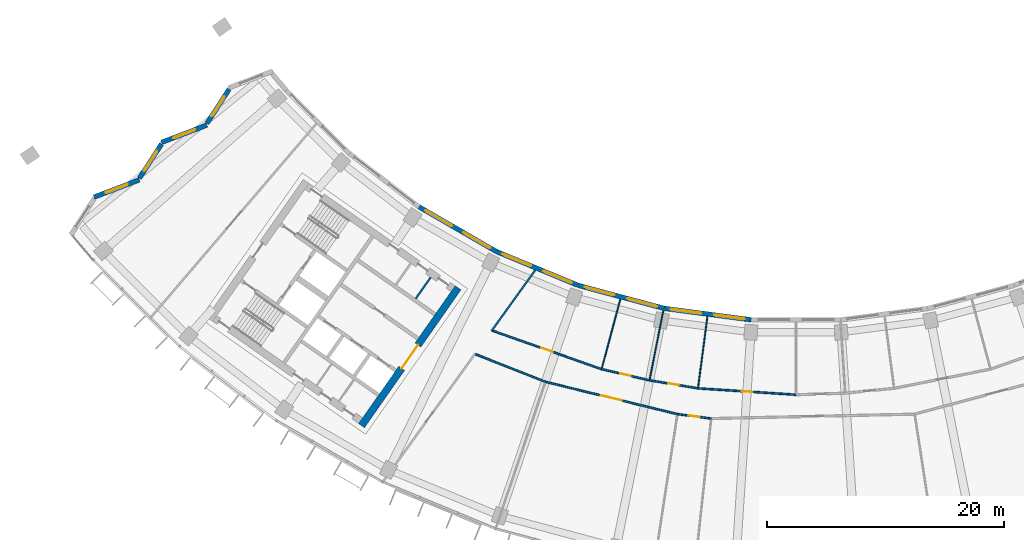
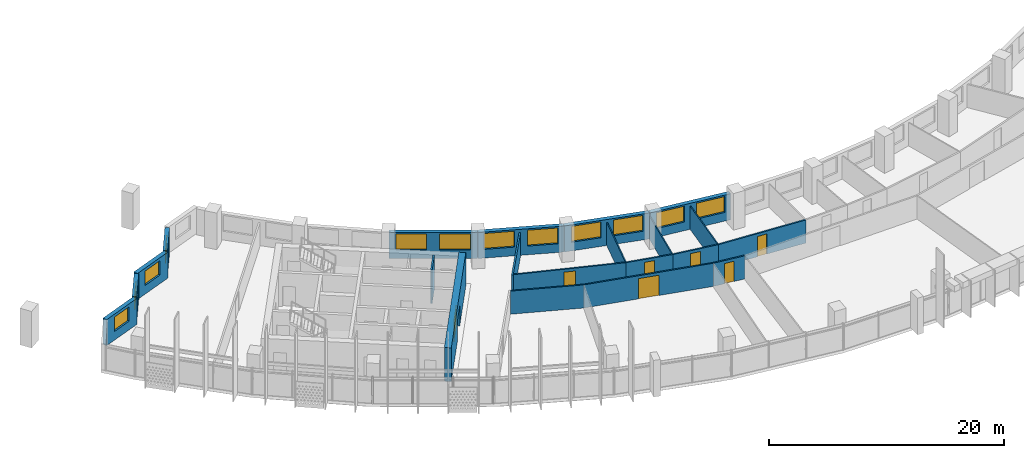
# One storey, part 4 of 27: 21 walls, 12 windows, 7 doors, 19 openings.
"""IFC4 building model written with IfcOpenShell, lengths in metres."""

from ifc_helpers import new_model, si_unit, direction, frame, frame_2d, origin, place, context, subcontext, project, spatial, rectangle, extrude, material, layer, layer_set, type_object, element, fill, save


model = new_model("IFC4")

# Units and contexts
model_context = context("Model", 3, precision=1e-05, world=origin(), true_north=direction((0.0, 1.0)))
body_context = subcontext(model_context, "Body", "Model", "MODEL_VIEW")
ifc_project = project(units=[si_unit("LENGTHUNIT", "METRE"), si_unit("AREAUNIT", "SQUARE_METRE"), si_unit("VOLUMEUNIT", "CUBIC_METRE"), si_unit("PLANEANGLEUNIT", "RADIAN"), si_unit("MASSUNIT", "GRAM", prefix="KILO")], contexts=[model_context])

# Site, building, storey
site_placement = place(None, origin())
site = spatial("IfcSite", under=ifc_project, at=site_placement, CompositionType="ELEMENT")
building_placement = place(site_placement, origin())
building = spatial("IfcBuilding", under=site, at=building_placement, Name="Qamariyya Broadcast Tower", CompositionType="ELEMENT")
storey_placement = place(building_placement, frame((0.0, 0.0, 179.699951171875)))
storey = spatial("IfcBuildingStorey", under=building, at=storey_placement, Name="L42", CompositionType="ELEMENT", Elevation=179.699951171875)

# Wall, opening, door
ifc_material_1 = material(Name="Concrete C60/75", Category="concrete")
ifc_layer_1 = layer(ifc_material_1, 0.60009765625)
ifc_layer_set_1 = layer_set([ifc_layer_1], Name="Core wall 600 mm Concrete C60/75")
wall_type_1 = type_object("IfcWallType", Name="Core wall 600 mm Concrete C60/75", PredefinedType="SHEAR", material=ifc_layer_set_1)
wall_1_placement = place(storey_placement, frame((-36.66748046875, -66.005126953125, 0.0), z_axis=(0.0, 0.0, 1.0), x_axis=(0.573568499524, 0.819157601658, 0.0)))
wall_1 = element("IfcWall", 1, at=wall_1_placement, inside=storey, type_object=wall_type_1, Name="k-W-L42-WA", PredefinedType="SHEAR", context=body_context, shape_type="SweptSolid", body=[
    extrude(rectangle(XDim=14.19970703125, YDim=0.60009765625, at=frame_2d((7.099853515625, 0.0))), origin(), (0.0, 0.0, 1.0), 3.5),
])
opening_1_placement = place(wall_1_placement, frame((5.89990234375, 0.0, 0.0)))
opening_1 = element("IfcOpeningElement", 2, at=opening_1_placement, cuts=wall_1, Name="Opening KD3-W1", PredefinedType="OPENING", context=body_context, shape_type="SweptSolid", body=[
    extrude(rectangle(XDim=2.39990234375, YDim=2.10009765625, at=frame_2d((1.199951171875, 1.050048828125))), frame((0.0, 0.31005859375, 0.0), z_axis=(0.0, -1.0, 0.0), x_axis=(1.0, 0.0, 0.0)), (0.0, 0.0, 1.0), 0.6201171875),
])
ifc_material_2 = material(Name="Steel fire-resisting door leaf", Category="steel")
door_type_1 = type_object("IfcDoorType", Name="Lift lobby door KD3", OperationType="DOUBLE_DOOR_SINGLE_SWING", PredefinedType="DOOR", material=ifc_material_2)
door_1_placement = place(opening_1_placement, origin())
door_1 = element("IfcDoor", 3, at=door_1_placement, inside=storey, type_object=door_type_1, Name="k-W-L42-WA-D1", OperationType="DOUBLE_DOOR_SINGLE_SWING", OverallHeight=2.10009765625, OverallWidth=2.39990234375, PredefinedType="DOOR", context=body_context, shape_type="SweptSolid", body=[
    extrude(rectangle(XDim=2.39990234375, YDim=2.10009765625, at=frame_2d((1.199951171875, 1.050048828125))), frame((0.0, 0.02490234375, 0.0), z_axis=(0.0, -1.0, 0.0), x_axis=(1.0, 0.0, 0.0)), (0.0, 0.0, 1.0), 0.050048828125),
])
fill(opening_1, door_1)

# Wall
ifc_material_3 = material(Name="Gypsum board partition")
ifc_layer_2 = layer(ifc_material_3, 0.14990234375)
ifc_layer_set_2 = layer_set([ifc_layer_2], Name="Corridor partition 150 EI 60")
wall_type_2 = type_object("IfcWallType", Name="Corridor partition 150 EI 60", PredefinedType="PARTITIONING", material=ifc_layer_set_2)
wall_2_placement = place(storey_placement, frame((-27.031005859375, -59.987548828125, 0.0), z_axis=(0.0, 0.0, 1.0), x_axis=(0.930189926157, -0.367078603675, 0.0)))
element("IfcWall", 4, at=wall_2_placement, inside=storey, type_object=wall_type_2, Name="Partition L42-003", PredefinedType="PARTITIONING", context=body_context, shape_type="SweptSolid", body=[
    extrude(rectangle(XDim=6.32177734375, YDim=0.14990234375, at=frame_2d((3.160888671875, 0.0))), origin(), (0.0, 0.0, 1.0), 2.400146484375),
])

# Wall, opening, door
wall_3_placement = place(storey_placement, frame((-25.598388671875, -57.99609375, 0.0), z_axis=(0.0, 0.0, 1.0), x_axis=(0.942977382292, -0.332856810785, 0.0)))
wall_3 = element("IfcWall", 5, at=wall_3_placement, inside=storey, type_object=wall_type_2, Name="Partition L42-004", PredefinedType="PARTITIONING", context=body_context, shape_type="SweptSolid", body=[
    extrude(rectangle(XDim=9.744873046875, YDim=0.14990234375, at=frame_2d((4.87255859375, 0.0))), origin(), (0.0, 0.0, 1.0), 2.400146484375),
])
opening_2_placement = place(wall_3_placement, frame((4.37255859375, 0.0, 0.0)))
opening_2 = element("IfcOpeningElement", 6, at=opening_2_placement, cuts=wall_3, Name="Opening L42-D07", PredefinedType="OPENING", context=body_context, shape_type="SweptSolid", body=[
    extrude(rectangle(XDim=1.0, YDim=2.10009765625, at=frame_2d((0.5, 1.050048828125))), frame((0.0, 0.0849609375, 0.0), z_axis=(0.0, -1.0, 0.0), x_axis=(1.0, 0.0, 0.0)), (0.0, 0.0, 1.0), 0.169921875),
])
ifc_material_4 = material(Name="Timber fire door leaf", Category="wood")
door_type_2 = type_object("IfcDoorType", Name="Fire door 1000 x 2100 FD60", OperationType="NOTDEFINED", PredefinedType="DOOR", material=ifc_material_4)
door_2_placement = place(opening_2_placement, origin())
door_2 = element("IfcDoor", 7, at=door_2_placement, inside=storey, type_object=door_type_2, Name="Door L42-D07", OperationType="SINGLE_SWING_RIGHT", OverallHeight=2.10009765625, OverallWidth=1.0, PredefinedType="DOOR", context=body_context, shape_type="SweptSolid", body=[
    extrude(rectangle(XDim=1.0, YDim=2.10009765625, at=frame_2d((0.5, 1.050048828125))), frame((0.0, 0.02490234375, 0.0), z_axis=(0.0, -1.0, 0.0), x_axis=(1.0, 0.0, 0.0)), (0.0, 0.0, 1.0), 0.050048828125),
])
fill(opening_2, door_2)

# Wall
wall_4_placement = place(storey_placement, frame((-22.0, -52.873046875, 0.0), z_axis=(0.0, 0.0, 1.0), x_axis=(-0.58417014289, -0.811631224236, 0.0)))
element("IfcWall", 8, at=wall_4_placement, inside=storey, type_object=wall_type_2, Name="Partition L42-006", PredefinedType="PARTITIONING", context=body_context, shape_type="SweptSolid", body=[
    extrude(rectangle(XDim=6.356201171875, YDim=0.14990234375, at=frame_2d((3.17822265625, 0.0))), origin(), (0.0, 0.0, 1.0), 2.400146484375),
])

# Wall, opening, door
wall_5_placement = place(storey_placement, frame((-10.011474609375, -65.033935546875, 0.0), z_axis=(0.0, 0.0, 1.0), x_axis=(-0.971340158638, 0.23769370252, 0.0)))
wall_5 = element("IfcWall", 9, at=wall_5_placement, inside=storey, type_object=wall_type_2, Name="Partition L42-007", PredefinedType="PARTITIONING", context=body_context, shape_type="SweptSolid", body=[
    extrude(rectangle(XDim=11.4677734375, YDim=0.14990234375, at=frame_2d((5.73388671875, 0.0))), origin(), (0.0, 0.0, 1.0), 2.400146484375),
])
opening_3_placement = place(wall_5_placement, frame((4.833984375, 0.0, 0.0)))
opening_3 = element("IfcOpeningElement", 10, at=opening_3_placement, cuts=wall_5, Name="Opening L42-D02", PredefinedType="OPENING", context=body_context, shape_type="SweptSolid", body=[
    extrude(rectangle(XDim=1.800048828125, YDim=2.10009765625, at=frame_2d((0.89990234375, 1.050048828125))), frame((0.0, 0.0849609375, 0.0), z_axis=(0.0, -1.0, 0.0), x_axis=(1.0, 0.0, 0.0)), (0.0, 0.0, 1.0), 0.169921875),
])
door_type_3 = type_object("IfcDoorType", Name="Double fire door 1800 x 2100 FD60", OperationType="NOTDEFINED", PredefinedType="DOOR", material=ifc_material_4)
door_3_placement = place(opening_3_placement, origin())
door_3 = element("IfcDoor", 11, at=door_3_placement, inside=storey, type_object=door_type_3, Name="Door L42-D02", OperationType="DOUBLE_DOOR_SINGLE_SWING", OverallHeight=2.10009765625, OverallWidth=1.800048828125, PredefinedType="DOOR", context=body_context, shape_type="SweptSolid", body=[
    extrude(rectangle(XDim=1.800048828125, YDim=2.10009765625, at=frame_2d((0.89990234375, 1.050048828125))), frame((0.0, 0.02490234375, 0.0), z_axis=(0.0, -1.0, 0.0), x_axis=(1.0, 0.0, 0.0)), (0.0, 0.0, 1.0), 0.050048828125),
])
fill(opening_3, door_3)

wall_6_placement = place(storey_placement, frame((-16.4091796875, -61.23974609375, 0.0), z_axis=(0.0, 0.0, 1.0), x_axis=(0.973875922187, -0.227080796599, 0.0)))
wall_6 = element("IfcWall", 12, at=wall_6_placement, inside=storey, type_object=wall_type_2, Name="Partition L42-008", PredefinedType="PARTITIONING", context=body_context, shape_type="SweptSolid", body=[
    extrude(rectangle(XDim=4.14892578125, YDim=0.14990234375, at=frame_2d((2.074462890625, 0.0))), origin(), (0.0, 0.0, 1.0), 2.400146484375),
])
opening_4_placement = place(wall_6_placement, frame((1.62451171875, 0.0, 0.0)))
opening_4 = element("IfcOpeningElement", 13, at=opening_4_placement, cuts=wall_6, Name="Opening L42-D08", PredefinedType="OPENING", context=body_context, shape_type="SweptSolid", body=[
    extrude(rectangle(XDim=0.89990234375, YDim=2.10009765625, at=frame_2d((0.449951171875, 1.050048828125))), frame((0.0, 0.0849609375, 0.0), z_axis=(0.0, -1.0, 0.0), x_axis=(1.0, 0.0, 0.0)), (0.0, 0.0, 1.0), 0.169921875),
])
door_type_4 = type_object("IfcDoorType", Name="Fire door 900 x 2100 FD60", OperationType="NOTDEFINED", PredefinedType="DOOR", material=ifc_material_4)
door_4_placement = place(opening_4_placement, origin())
door_4 = element("IfcDoor", 14, at=door_4_placement, inside=storey, type_object=door_type_4, Name="Door L42-D08", OperationType="SINGLE_SWING_RIGHT", OverallHeight=2.10009765625, OverallWidth=0.89990234375, PredefinedType="DOOR", context=body_context, shape_type="SweptSolid", body=[
    extrude(rectangle(XDim=0.89990234375, YDim=2.10009765625, at=frame_2d((0.449951171875, 1.050048828125))), frame((0.0, 0.02490234375, 0.0), z_axis=(0.0, -1.0, 0.0), x_axis=(1.0, 0.0, 0.0)), (0.0, 0.0, 1.0), 0.050048828125),
])
fill(opening_4, door_4)

wall_7_placement = place(storey_placement, frame((-12.36865234375, -62.181884765625, 0.0), z_axis=(0.0, 0.0, 1.0), x_axis=(0.986644067936, -0.162891016345, 0.0)))
wall_7 = element("IfcWall", 15, at=wall_7_placement, inside=storey, type_object=wall_type_2, Name="Partition L42-010", PredefinedType="PARTITIONING", context=body_context, shape_type="SweptSolid", body=[
    extrude(rectangle(XDim=4.148681640625, YDim=0.14990234375, at=frame_2d((2.07421875, 0.0))), origin(), (0.0, 0.0, 1.0), 2.400146484375),
])
opening_5_placement = place(wall_7_placement, frame((1.62451171875, 0.0, 0.0)))
opening_5 = element("IfcOpeningElement", 16, at=opening_5_placement, cuts=wall_7, Name="Opening L42-D09", PredefinedType="OPENING", context=body_context, shape_type="SweptSolid", body=[
    extrude(rectangle(XDim=0.89990234375, YDim=2.10009765625, at=frame_2d((0.449951171875, 1.050048828125))), frame((0.0, 0.0849609375, 0.0), z_axis=(0.0, -1.0, 0.0), x_axis=(1.0, 0.0, 0.0)), (0.0, 0.0, 1.0), 0.169921875),
])
door_5_placement = place(opening_5_placement, origin())
door_5 = element("IfcDoor", 17, at=door_5_placement, inside=storey, type_object=door_type_4, Name="Door L42-D09", OperationType="SINGLE_SWING_RIGHT", OverallHeight=2.10009765625, OverallWidth=0.89990234375, PredefinedType="DOOR", context=body_context, shape_type="SweptSolid", body=[
    extrude(rectangle(XDim=0.89990234375, YDim=2.10009765625, at=frame_2d((0.449951171875, 1.050048828125))), frame((0.0, 0.02490234375, 0.0), z_axis=(0.0, -1.0, 0.0), x_axis=(1.0, 0.0, 0.0)), (0.0, 0.0, 1.0), 0.050048828125),
])
fill(opening_5, door_5)

wall_8_placement = place(storey_placement, frame((-7.16162109375, -65.4091796875, 0.0), z_axis=(0.0, 0.0, 1.0), x_axis=(-0.991442438756, 0.13054459251, 0.0)))
wall_8 = element("IfcWall", 18, at=wall_8_placement, inside=storey, type_object=wall_type_2, Name="Partition L42-013", PredefinedType="PARTITIONING", context=body_context, shape_type="SweptSolid", body=[
    extrude(rectangle(XDim=2.87451171875, YDim=0.14990234375, at=frame_2d((1.437255859375, 0.0))), origin(), (0.0, 0.0, 1.0), 2.400146484375),
])
opening_6_placement = place(wall_8_placement, frame((0.9873046875, 0.0, 0.0)))
opening_6 = element("IfcOpeningElement", 19, at=opening_6_placement, cuts=wall_8, Name="Opening L42-D03", PredefinedType="OPENING", context=body_context, shape_type="SweptSolid", body=[
    extrude(rectangle(XDim=0.89990234375, YDim=2.10009765625, at=frame_2d((0.449951171875, 1.050048828125))), frame((0.0, 0.0849609375, 0.0), z_axis=(0.0, -1.0, 0.0), x_axis=(1.0, 0.0, 0.0)), (0.0, 0.0, 1.0), 0.169921875),
])
door_6_placement = place(opening_6_placement, origin())
door_6 = element("IfcDoor", 20, at=door_6_placement, inside=storey, type_object=door_type_4, Name="Door L42-D03", OperationType="SINGLE_SWING_RIGHT", OverallHeight=2.10009765625, OverallWidth=0.89990234375, PredefinedType="DOOR", context=body_context, shape_type="SweptSolid", body=[
    extrude(rectangle(XDim=0.89990234375, YDim=2.10009765625, at=frame_2d((0.449951171875, 1.050048828125))), frame((0.0, 0.02490234375, 0.0), z_axis=(0.0, -1.0, 0.0), x_axis=(1.0, 0.0, 0.0)), (0.0, 0.0, 1.0), 0.050048828125),
])
fill(opening_6, door_6)

wall_9_placement = place(storey_placement, frame((-8.275390625, -62.857666015625, 0.0), z_axis=(0.0, 0.0, 1.0), x_axis=(0.997860193426, -0.065383747038, 0.0)))
wall_9 = element("IfcWall", 21, at=wall_9_placement, inside=storey, type_object=wall_type_2, Name="Partition L42-015", PredefinedType="PARTITIONING", context=body_context, shape_type="SweptSolid", body=[
    extrude(rectangle(XDim=8.293212890625, YDim=0.14990234375, at=frame_2d((4.146484375, 0.0))), origin(), (0.0, 0.0, 1.0), 2.400146484375),
])
opening_7_placement = place(wall_9_placement, frame((3.696533203125, 0.0, 0.0)))
opening_7 = element("IfcOpeningElement", 22, at=opening_7_placement, cuts=wall_9, Name="Opening L42-D10", PredefinedType="OPENING", context=body_context, shape_type="SweptSolid", body=[
    extrude(rectangle(XDim=0.89990234375, YDim=2.10009765625, at=frame_2d((0.449951171875, 1.050048828125))), frame((0.0, 0.0849609375, 0.0), z_axis=(0.0, -1.0, 0.0), x_axis=(1.0, 0.0, 0.0)), (0.0, 0.0, 1.0), 0.169921875),
])
door_7_placement = place(opening_7_placement, origin())
door_7 = element("IfcDoor", 23, at=door_7_placement, inside=storey, type_object=door_type_4, Name="Door L42-D10", OperationType="SINGLE_SWING_RIGHT", OverallHeight=2.10009765625, OverallWidth=0.89990234375, PredefinedType="DOOR", context=body_context, shape_type="SweptSolid", body=[
    extrude(rectangle(XDim=0.89990234375, YDim=2.10009765625, at=frame_2d((0.449951171875, 1.050048828125))), frame((0.0, 0.02490234375, 0.0), z_axis=(0.0, -1.0, 0.0), x_axis=(1.0, 0.0, 0.0)), (0.0, 0.0, 1.0), 0.050048828125),
])
fill(opening_7, door_7)

# Walls
ifc_material_5 = material(Name="Gypsum board partition on steel studs", Category="steel")
ifc_layer_3 = layer(ifc_material_5, 0.14990234375)
ifc_layer_set_3 = layer_set([ifc_layer_3], Name="Gypsum board partition 150 mm")
wall_type_3 = type_object("IfcWallType", Name="Gypsum board partition 150 mm", PredefinedType="PARTITIONING", material=ifc_layer_set_3)
wall_10_placement = place(storey_placement, frame((-32.0947265625, -55.290283203125, 0.0), z_axis=(0.0, 0.0, 1.0), x_axis=(0.573559170999, 0.819164133348, 0.0)))
element("IfcWall", 24, at=wall_10_placement, inside=storey, type_object=wall_type_3, Name="k-W-L42-NP210", PredefinedType="PARTITIONING", context=body_context, shape_type="SweptSolid", body=[
    extrude(rectangle(XDim=2.19970703125, YDim=0.14990234375, at=frame_2d((1.099853515625, 0.0))), origin(), (0.0, 0.0, 1.0), 3.5),
])
ifc_layer_4 = layer(ifc_material_3, 0.10009765625)
ifc_layer_set_4 = layer_set([ifc_layer_4], Name="Partition 100")
wall_type_4 = type_object("IfcWallType", Name="Partition 100", PredefinedType="PARTITIONING", material=ifc_layer_set_4)
wall_11_placement = place(storey_placement, frame((-14.82470703125, -55.326171875, 0.0), z_axis=(0.0, 0.0, 1.0), x_axis=(-0.258793263352, -0.965932734119, 0.0)))
element("IfcWall", 25, at=wall_11_placement, inside=storey, type_object=wall_type_4, Name="Partition L42-009", PredefinedType="PARTITIONING", context=body_context, shape_type="SweptSolid", body=[
    extrude(rectangle(XDim=6.047119140625, YDim=0.10009765625, at=frame_2d((3.0234375, 0.0))), origin(), (0.0, 0.0, 1.0), 2.400146484375),
])
wall_12_placement = place(storey_placement, frame((-11.1982421875, -56.297119140625, 0.0), z_axis=(0.0, 0.0, 1.0), x_axis=(-0.195070020718, -0.980789318364, 0.0)))
element("IfcWall", 26, at=wall_12_placement, inside=storey, type_object=wall_type_4, Name="Partition L42-012", PredefinedType="PARTITIONING", context=body_context, shape_type="SweptSolid", body=[
    extrude(rectangle(XDim=5.9248046875, YDim=0.10009765625, at=frame_2d((2.96240234375, 0.0))), origin(), (0.0, 0.0, 1.0), 2.400146484375),
])
wall_13_placement = place(storey_placement, frame((-7.476318359375, -56.787841796875, 0.0), z_axis=(0.0, 0.0, 1.0), x_axis=(-0.130526573864, -0.991444811129, 0.0)))
element("IfcWall", 27, at=wall_13_placement, inside=storey, type_object=wall_type_4, Name="Partition L42-016", PredefinedType="PARTITIONING", context=body_context, shape_type="SweptSolid", body=[
    extrude(rectangle(XDim=6.047119140625, YDim=0.10009765625, at=frame_2d((3.0234375, 0.0))), origin(), (0.0, 0.0, 1.0), 2.400146484375),
])

# Wall, opening, window
ifc_material_6 = material(Name="Terracotta", Category="masonry")
ifc_layer_5 = layer(ifc_material_6, 0.39990234375)
ifc_layer_set_5 = layer_set([ifc_layer_5], Name="Terracotta clad wall 400")
wall_type_5 = type_object("IfcWallType", Name="Terracotta clad wall 400", PredefinedType="SOLIDWALL", material=ifc_layer_set_5)
wall_14_placement = place(storey_placement, frame((-47.851806640625, -37.615234375, 0.0), z_axis=(0.0, 0.0, 1.0), x_axis=(-0.543115895478, -0.839657742225, 0.0)))
wall_14 = element("IfcWall", 28, at=wall_14_placement, inside=storey, type_object=wall_type_5, Name="e-wl-L42-capW1", PredefinedType="SOLIDWALL", context=body_context, shape_type="SweptSolid", body=[
    extrude(rectangle(XDim=3.439697265625, YDim=0.39990234375, at=frame_2d((1.7197265625, 0.0))), origin(), (0.0, 0.0, 1.0), 2.699951171875),
])
opening_8_placement = place(wall_14_placement, frame((0.719970703125, 0.0, 0.89990234375)))
opening_8 = element("IfcOpeningElement", 29, at=opening_8_placement, cuts=wall_14, Name="Opening W4", PredefinedType="OPENING", context=body_context, shape_type="SweptSolid", body=[
    extrude(rectangle(XDim=2.0, YDim=1.5, at=frame_2d((1.0, 0.75))), frame((0.0, 0.2099609375, 0.0), z_axis=(0.0, -1.0, 0.0), x_axis=(1.0, 0.0, 0.0)), (0.0, 0.0, 1.0), 0.419921875),
])
ifc_material_7 = material(Name="Clear low-e double glazed unit in aluminium frame", Category="aluminium")
window_type_1 = type_object("IfcWindowType", Name="Horn bay window 2000 x 1500", PartitioningType="SINGLE_PANEL", PredefinedType="WINDOW", material=ifc_material_7)
window_1_placement = place(opening_8_placement, origin())
window_1 = element("IfcWindow", 30, at=window_1_placement, inside=storey, type_object=window_type_1, Name="e-w-L42-capW1", OverallHeight=1.5, OverallWidth=2.0, PartitioningType="SINGLE_PANEL", PredefinedType="WINDOW", context=body_context, shape_type="SweptSolid", body=[
    extrude(rectangle(XDim=2.0, YDim=1.5, at=frame_2d((1.0, 0.75))), frame((0.0, 0.030029296875, 0.0), z_axis=(0.0, -1.0, 0.0), x_axis=(1.0, 0.0, 0.0)), (0.0, 0.0, 1.0), 0.06005859375),
])
fill(opening_8, window_1)

wall_15_placement = place(storey_placement, frame((-49.724365234375, -40.64111328125, 0.0), z_axis=(0.0, 0.0, 1.0), x_axis=(-0.934415812529, -0.356184066594, 0.0)))
wall_15 = element("IfcWall", 31, at=wall_15_placement, inside=storey, type_object=wall_type_5, Name="e-wl-L42-capW2", PredefinedType="SOLIDWALL", context=body_context, shape_type="SweptSolid", body=[
    extrude(rectangle(XDim=4.087890625, YDim=0.39990234375, at=frame_2d((2.0439453125, 0.0))), origin(), (0.0, 0.0, 1.0), 2.699951171875),
])
opening_9_placement = place(wall_15_placement, frame((1.0439453125, 0.0, 0.89990234375)))
opening_9 = element("IfcOpeningElement", 32, at=opening_9_placement, cuts=wall_15, Name="Opening W4", PredefinedType="OPENING", context=body_context, shape_type="SweptSolid", body=[
    extrude(rectangle(XDim=2.0, YDim=1.5, at=frame_2d((1.0, 0.75))), frame((0.0, 0.2099609375, 0.0), z_axis=(0.0, -1.0, 0.0), x_axis=(1.0, 0.0, 0.0)), (0.0, 0.0, 1.0), 0.419921875),
])
window_2_placement = place(opening_9_placement, origin())
window_2 = element("IfcWindow", 33, at=window_2_placement, inside=storey, type_object=window_type_1, Name="e-w-L42-capW2", OverallHeight=1.5, OverallWidth=2.0, PartitioningType="SINGLE_PANEL", PredefinedType="WINDOW", context=body_context, shape_type="SweptSolid", body=[
    extrude(rectangle(XDim=2.0, YDim=1.5, at=frame_2d((1.0, 0.75))), frame((0.0, 0.030029296875, 0.0), z_axis=(0.0, -1.0, 0.0), x_axis=(1.0, 0.0, 0.0)), (0.0, 0.0, 1.0), 0.06005859375),
])
fill(opening_9, window_2)

wall_16_placement = place(storey_placement, frame((-53.548583984375, -42.23486328125, 0.0), z_axis=(0.0, 0.0, 1.0), x_axis=(-0.543012798041, -0.839724419774, 0.0)))
wall_16 = element("IfcWall", 34, at=wall_16_placement, inside=storey, type_object=wall_type_5, Name="e-wl-L42-capW3", PredefinedType="SOLIDWALL", context=body_context, shape_type="SweptSolid", body=[
    extrude(rectangle(XDim=3.4384765625, YDim=0.39990234375, at=frame_2d((1.71923828125, 0.0))), origin(), (0.0, 0.0, 1.0), 2.699951171875),
])
opening_10_placement = place(wall_16_placement, frame((0.71923828125, 0.0, 0.89990234375)))
opening_10 = element("IfcOpeningElement", 35, at=opening_10_placement, cuts=wall_16, Name="Opening W4", PredefinedType="OPENING", context=body_context, shape_type="SweptSolid", body=[
    extrude(rectangle(XDim=2.0, YDim=1.5, at=frame_2d((1.0, 0.75))), frame((0.0, 0.2099609375, 0.0), z_axis=(0.0, -1.0, 0.0), x_axis=(1.0, 0.0, 0.0)), (0.0, 0.0, 1.0), 0.419921875),
])
window_3_placement = place(opening_10_placement, origin())
window_3 = element("IfcWindow", 36, at=window_3_placement, inside=storey, type_object=window_type_1, Name="e-w-L42-capW3", OverallHeight=1.5, OverallWidth=2.0, PartitioningType="SINGLE_PANEL", PredefinedType="WINDOW", context=body_context, shape_type="SweptSolid", body=[
    extrude(rectangle(XDim=2.0, YDim=1.5, at=frame_2d((1.0, 0.75))), frame((0.0, 0.030029296875, 0.0), z_axis=(0.0, -1.0, 0.0), x_axis=(1.0, 0.0, 0.0)), (0.0, 0.0, 1.0), 0.06005859375),
])
fill(opening_10, window_3)

wall_17_placement = place(storey_placement, frame((-55.42041015625, -45.260009765625, 0.0), z_axis=(0.0, 0.0, 1.0), x_axis=(-0.934378915355, -0.356280847845, 0.0)))
wall_17 = element("IfcWall", 37, at=wall_17_placement, inside=storey, type_object=wall_type_5, Name="e-wl-L42-capW4", PredefinedType="SOLIDWALL", context=body_context, shape_type="SweptSolid", body=[
    extrude(rectangle(XDim=4.0888671875, YDim=0.39990234375, at=frame_2d((2.04443359375, 0.0))), origin(), (0.0, 0.0, 1.0), 2.699951171875),
])
opening_11_placement = place(wall_17_placement, frame((1.04443359375, 0.0, 0.89990234375)))
opening_11 = element("IfcOpeningElement", 38, at=opening_11_placement, cuts=wall_17, Name="Opening W4", PredefinedType="OPENING", context=body_context, shape_type="SweptSolid", body=[
    extrude(rectangle(XDim=2.0, YDim=1.5, at=frame_2d((1.0, 0.75))), frame((0.0, 0.2099609375, 0.0), z_axis=(0.0, -1.0, 0.0), x_axis=(1.0, 0.0, 0.0)), (0.0, 0.0, 1.0), 0.419921875),
])
window_4_placement = place(opening_11_placement, origin())
window_4 = element("IfcWindow", 39, at=window_4_placement, inside=storey, type_object=window_type_1, Name="e-w-L42-capW4", OverallHeight=1.5, OverallWidth=2.0, PartitioningType="SINGLE_PANEL", PredefinedType="WINDOW", context=body_context, shape_type="SweptSolid", body=[
    extrude(rectangle(XDim=2.0, YDim=1.5, at=frame_2d((1.0, 0.75))), frame((0.0, 0.030029296875, 0.0), z_axis=(0.0, -1.0, 0.0), x_axis=(1.0, 0.0, 0.0)), (0.0, 0.0, 1.0), 0.06005859375),
])
fill(opening_11, window_4)

# Wall, openings, windows
wall_18_placement = place(storey_placement, frame((-25.27734375, -51.31396484375, 0.0), z_axis=(0.0, 0.0, 1.0), x_axis=(-0.866028517328, 0.499994607145, 0.0)))
wall_18 = element("IfcWall", 40, at=wall_18_placement, inside=storey, type_object=wall_type_5, Name="e-wl-L42-in30", PredefinedType="SOLIDWALL", context=body_context, shape_type="SweptSolid", body=[
    extrude(rectangle(XDim=7.5322265625, YDim=0.39990234375, at=frame_2d((3.76611328125, 0.0))), origin(), (0.0, 0.0, 1.0), 2.699951171875),
])
opening_12_placement = place(wall_18_placement, frame((4.330078125, 0.0, 0.89990234375)))
opening_12 = element("IfcOpeningElement", 41, at=opening_12_placement, cuts=wall_18, Name="Opening W1", PredefinedType="OPENING", context=body_context, shape_type="SweptSolid", body=[
    extrude(rectangle(XDim=2.60009765625, YDim=1.64990234375, at=frame_2d((1.300048828125, 0.824951171875))), frame((0.0, 0.2099609375, 0.0), z_axis=(0.0, -1.0, 0.0), x_axis=(1.0, 0.0, 0.0)), (0.0, 0.0, 1.0), 0.419921875),
])
opening_13_placement = place(wall_18_placement, frame((0.60205078125, 0.0, 0.89990234375)))
opening_13 = element("IfcOpeningElement", 42, at=opening_13_placement, cuts=wall_18, Name="Opening W1", PredefinedType="OPENING", context=body_context, shape_type="SweptSolid", body=[
    extrude(rectangle(XDim=2.60009765625, YDim=1.64990234375, at=frame_2d((1.300048828125, 0.824951171875))), frame((0.0, 0.2099609375, 0.0), z_axis=(0.0, -1.0, 0.0), x_axis=(1.0, 0.0, 0.0)), (0.0, 0.0, 1.0), 0.419921875),
])
window_type_2 = type_object("IfcWindowType", Name="Ribbon window 2600 x 1650", PartitioningType="SINGLE_PANEL", PredefinedType="WINDOW", material=ifc_material_7)
window_5_placement = place(opening_12_placement, origin())
window_5 = element("IfcWindow", 43, at=window_5_placement, inside=storey, type_object=window_type_2, Name="e-w-L42-in03-0", OverallHeight=1.64990234375, OverallWidth=2.60009765625, PartitioningType="SINGLE_PANEL", PredefinedType="WINDOW", context=body_context, shape_type="SweptSolid", body=[
    extrude(rectangle(XDim=2.60009765625, YDim=1.64990234375, at=frame_2d((1.300048828125, 0.824951171875))), frame((0.0, 0.030029296875, 0.0), z_axis=(0.0, -1.0, 0.0), x_axis=(1.0, 0.0, 0.0)), (0.0, 0.0, 1.0), 0.06005859375),
])
fill(opening_12, window_5)
window_6_placement = place(opening_13_placement, origin())
window_6 = element("IfcWindow", 44, at=window_6_placement, inside=storey, type_object=window_type_2, Name="e-w-L42-in03-1", OverallHeight=1.64990234375, OverallWidth=2.60009765625, PartitioningType="SINGLE_PANEL", PredefinedType="WINDOW", context=body_context, shape_type="SweptSolid", body=[
    extrude(rectangle(XDim=2.60009765625, YDim=1.64990234375, at=frame_2d((1.300048828125, 0.824951171875))), frame((0.0, 0.030029296875, 0.0), z_axis=(0.0, -1.0, 0.0), x_axis=(1.0, 0.0, 0.0)), (0.0, 0.0, 1.0), 0.06005859375),
])
fill(opening_13, window_6)

wall_19_placement = place(storey_placement, frame((-18.433349609375, -54.1455078125, 0.0), z_axis=(0.0, 0.0, 1.0), x_axis=(-0.923867659443, 0.382712095229, 0.0)))
wall_19 = element("IfcWall", 45, at=wall_19_placement, inside=storey, type_object=wall_type_5, Name="e-wl-L42-in40", PredefinedType="SOLIDWALL", context=body_context, shape_type="SweptSolid", body=[
    extrude(rectangle(XDim=7.380859375, YDim=0.39990234375, at=frame_2d((3.6904296875, 0.0))), origin(), (0.0, 0.0, 1.0), 2.699951171875),
])
opening_14_placement = place(wall_19_placement, frame((4.25439453125, 0.0, 0.89990234375)))
opening_14 = element("IfcOpeningElement", 46, at=opening_14_placement, cuts=wall_19, Name="Opening W1", PredefinedType="OPENING", context=body_context, shape_type="SweptSolid", body=[
    extrude(rectangle(XDim=2.60009765625, YDim=1.64990234375, at=frame_2d((1.300048828125, 0.824951171875))), frame((0.0, 0.2099609375, 0.0), z_axis=(0.0, -1.0, 0.0), x_axis=(1.0, 0.0, 0.0)), (0.0, 0.0, 1.0), 0.419921875),
])
opening_15_placement = place(wall_19_placement, frame((0.5263671875, 0.0, 0.89990234375)))
opening_15 = element("IfcOpeningElement", 47, at=opening_15_placement, cuts=wall_19, Name="Opening W1", PredefinedType="OPENING", context=body_context, shape_type="SweptSolid", body=[
    extrude(rectangle(XDim=2.60009765625, YDim=1.64990234375, at=frame_2d((1.300048828125, 0.824951171875))), frame((0.0, 0.2099609375, 0.0), z_axis=(0.0, -1.0, 0.0), x_axis=(1.0, 0.0, 0.0)), (0.0, 0.0, 1.0), 0.419921875),
])
window_7_placement = place(opening_14_placement, origin())
window_7 = element("IfcWindow", 48, at=window_7_placement, inside=storey, type_object=window_type_2, Name="e-w-L42-in04-0", OverallHeight=1.64990234375, OverallWidth=2.60009765625, PartitioningType="SINGLE_PANEL", PredefinedType="WINDOW", context=body_context, shape_type="SweptSolid", body=[
    extrude(rectangle(XDim=2.60009765625, YDim=1.64990234375, at=frame_2d((1.300048828125, 0.824951171875))), frame((0.0, 0.030029296875, 0.0), z_axis=(0.0, -1.0, 0.0), x_axis=(1.0, 0.0, 0.0)), (0.0, 0.0, 1.0), 0.06005859375),
])
fill(opening_14, window_7)
window_8_placement = place(opening_15_placement, origin())
window_8 = element("IfcWindow", 49, at=window_8_placement, inside=storey, type_object=window_type_2, Name="e-w-L42-in04-1", OverallHeight=1.64990234375, OverallWidth=2.60009765625, PartitioningType="SINGLE_PANEL", PredefinedType="WINDOW", context=body_context, shape_type="SweptSolid", body=[
    extrude(rectangle(XDim=2.60009765625, YDim=1.64990234375, at=frame_2d((1.300048828125, 0.824951171875))), frame((0.0, 0.030029296875, 0.0), z_axis=(0.0, -1.0, 0.0), x_axis=(1.0, 0.0, 0.0)), (0.0, 0.0, 1.0), 0.06005859375),
])
fill(opening_15, window_8)

wall_20_placement = place(storey_placement, frame((-11.135009765625, -56.10791015625, 0.0), z_axis=(0.0, 0.0, 1.0), x_axis=(-0.965927073219, 0.258814391452, 0.0)))
wall_20 = element("IfcWall", 50, at=wall_20_placement, inside=storey, type_object=wall_type_5, Name="e-wl-L42-in50", PredefinedType="SOLIDWALL", context=body_context, shape_type="SweptSolid", body=[
    extrude(rectangle(XDim=7.5322265625, YDim=0.39990234375, at=frame_2d((3.76611328125, 0.0))), origin(), (0.0, 0.0, 1.0), 2.699951171875),
])
opening_16_placement = place(wall_20_placement, frame((4.330078125, 0.0, 0.89990234375)))
opening_16 = element("IfcOpeningElement", 51, at=opening_16_placement, cuts=wall_20, Name="Opening W1", PredefinedType="OPENING", context=body_context, shape_type="SweptSolid", body=[
    extrude(rectangle(XDim=2.60009765625, YDim=1.64990234375, at=frame_2d((1.300048828125, 0.824951171875))), frame((0.0, 0.2099609375, 0.0), z_axis=(0.0, -1.0, 0.0), x_axis=(1.0, 0.0, 0.0)), (0.0, 0.0, 1.0), 0.419921875),
])
opening_17_placement = place(wall_20_placement, frame((0.60205078125, 0.0, 0.89990234375)))
opening_17 = element("IfcOpeningElement", 52, at=opening_17_placement, cuts=wall_20, Name="Opening W1", PredefinedType="OPENING", context=body_context, shape_type="SweptSolid", body=[
    extrude(rectangle(XDim=2.60009765625, YDim=1.64990234375, at=frame_2d((1.300048828125, 0.824951171875))), frame((0.0, 0.2099609375, 0.0), z_axis=(0.0, -1.0, 0.0), x_axis=(1.0, 0.0, 0.0)), (0.0, 0.0, 1.0), 0.419921875),
])
window_9_placement = place(opening_16_placement, origin())
window_9 = element("IfcWindow", 53, at=window_9_placement, inside=storey, type_object=window_type_2, Name="e-w-L42-in05-0", OverallHeight=1.64990234375, OverallWidth=2.60009765625, PartitioningType="SINGLE_PANEL", PredefinedType="WINDOW", context=body_context, shape_type="SweptSolid", body=[
    extrude(rectangle(XDim=2.60009765625, YDim=1.64990234375, at=frame_2d((1.300048828125, 0.824951171875))), frame((0.0, 0.030029296875, 0.0), z_axis=(0.0, -1.0, 0.0), x_axis=(1.0, 0.0, 0.0)), (0.0, 0.0, 1.0), 0.06005859375),
])
fill(opening_16, window_9)
window_10_placement = place(opening_17_placement, origin())
window_10 = element("IfcWindow", 54, at=window_10_placement, inside=storey, type_object=window_type_2, Name="e-w-L42-in05-1", OverallHeight=1.64990234375, OverallWidth=2.60009765625, PartitioningType="SINGLE_PANEL", PredefinedType="WINDOW", context=body_context, shape_type="SweptSolid", body=[
    extrude(rectangle(XDim=2.60009765625, YDim=1.64990234375, at=frame_2d((1.300048828125, 0.824951171875))), frame((0.0, 0.030029296875, 0.0), z_axis=(0.0, -1.0, 0.0), x_axis=(1.0, 0.0, 0.0)), (0.0, 0.0, 1.0), 0.06005859375),
])
fill(opening_17, window_10)

wall_21_placement = place(storey_placement, frame((-3.79150390625, -57.0712890625, 0.0), z_axis=(0.0, 0.0, 1.0), x_axis=(-0.99144438474, 0.130529812564, 0.0)))
wall_21 = element("IfcWall", 55, at=wall_21_placement, inside=storey, type_object=wall_type_5, Name="e-wl-L42-in60", PredefinedType="SOLIDWALL", context=body_context, shape_type="SweptSolid", body=[
    extrude(rectangle(XDim=7.380615234375, YDim=0.39990234375, at=frame_2d((3.6904296875, 0.0))), origin(), (0.0, 0.0, 1.0), 2.699951171875),
])
opening_18_placement = place(wall_21_placement, frame((4.25439453125, 0.0, 0.89990234375)))
opening_18 = element("IfcOpeningElement", 56, at=opening_18_placement, cuts=wall_21, Name="Opening W1", PredefinedType="OPENING", context=body_context, shape_type="SweptSolid", body=[
    extrude(rectangle(XDim=2.60009765625, YDim=1.64990234375, at=frame_2d((1.300048828125, 0.824951171875))), frame((0.0, 0.2099609375, 0.0), z_axis=(0.0, -1.0, 0.0), x_axis=(1.0, 0.0, 0.0)), (0.0, 0.0, 1.0), 0.419921875),
])
opening_19_placement = place(wall_21_placement, frame((0.5263671875, 0.0, 0.89990234375)))
opening_19 = element("IfcOpeningElement", 57, at=opening_19_placement, cuts=wall_21, Name="Opening W1", PredefinedType="OPENING", context=body_context, shape_type="SweptSolid", body=[
    extrude(rectangle(XDim=2.60009765625, YDim=1.64990234375, at=frame_2d((1.300048828125, 0.824951171875))), frame((0.0, 0.2099609375, 0.0), z_axis=(0.0, -1.0, 0.0), x_axis=(1.0, 0.0, 0.0)), (0.0, 0.0, 1.0), 0.419921875),
])
window_11_placement = place(opening_18_placement, origin())
window_11 = element("IfcWindow", 58, at=window_11_placement, inside=storey, type_object=window_type_2, Name="e-w-L42-in06-0", OverallHeight=1.64990234375, OverallWidth=2.60009765625, PartitioningType="SINGLE_PANEL", PredefinedType="WINDOW", context=body_context, shape_type="SweptSolid", body=[
    extrude(rectangle(XDim=2.60009765625, YDim=1.64990234375, at=frame_2d((1.300048828125, 0.824951171875))), frame((0.0, 0.030029296875, 0.0), z_axis=(0.0, -1.0, 0.0), x_axis=(1.0, 0.0, 0.0)), (0.0, 0.0, 1.0), 0.06005859375),
])
fill(opening_18, window_11)
window_12_placement = place(opening_19_placement, origin())
window_12 = element("IfcWindow", 59, at=window_12_placement, inside=storey, type_object=window_type_2, Name="e-w-L42-in06-1", OverallHeight=1.64990234375, OverallWidth=2.60009765625, PartitioningType="SINGLE_PANEL", PredefinedType="WINDOW", context=body_context, shape_type="SweptSolid", body=[
    extrude(rectangle(XDim=2.60009765625, YDim=1.64990234375, at=frame_2d((1.300048828125, 0.824951171875))), frame((0.0, 0.030029296875, 0.0), z_axis=(0.0, -1.0, 0.0), x_axis=(1.0, 0.0, 0.0)), (0.0, 0.0, 1.0), 0.06005859375),
])
fill(opening_19, window_12)

save(model, "model.ifc")
